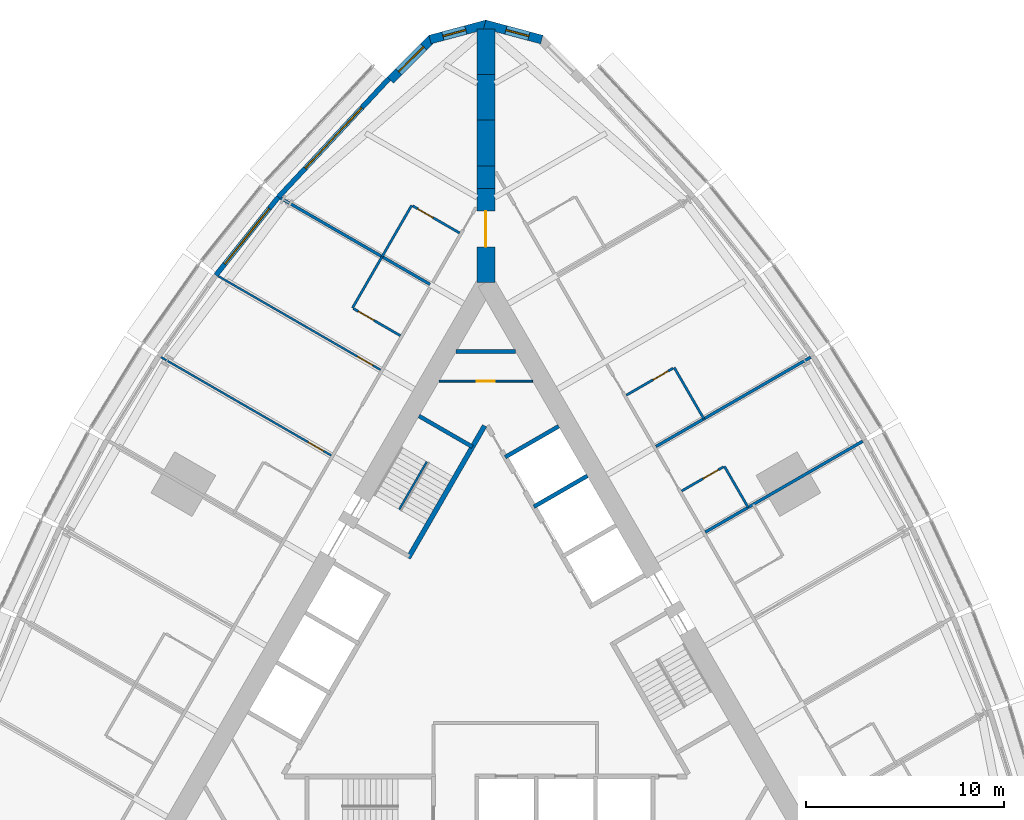
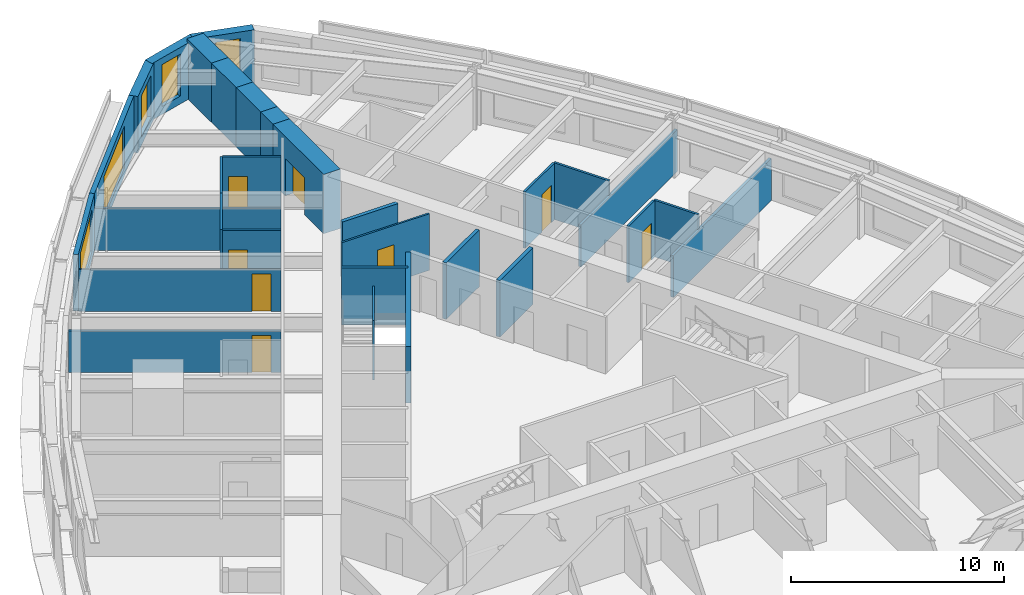
# One storey, part 12 of 14: 30 walls, 8 doors, 5 windows, 13 openings.
"""IFC4 building model written with IfcOpenShell, lengths in metres."""

from ifc_helpers import new_model, si_unit, direction, frame, frame_2d, origin, place, context, subcontext, project, spatial, polyline, rectangle, outline, extrude, material, layer, layer_set, type_object, element, fill, save


model = new_model("IFC4")

# Units and contexts
model_context = context("Model", 3, precision=1e-05, world=origin(), true_north=direction((0.0, 1.0)))
body_context = subcontext(model_context, "Body", "Model", "MODEL_VIEW")
ifc_project = project(units=[si_unit("LENGTHUNIT", "METRE"), si_unit("AREAUNIT", "SQUARE_METRE"), si_unit("VOLUMEUNIT", "CUBIC_METRE"), si_unit("PLANEANGLEUNIT", "RADIAN"), si_unit("MASSUNIT", "GRAM", prefix="KILO")], contexts=[model_context])

# Site, building, storey
site_placement = place(None, origin())
site = spatial("IfcSite", under=ifc_project, at=site_placement, CompositionType="ELEMENT")
building_placement = place(site_placement, origin())
building = spatial("IfcBuilding", under=site, at=building_placement, Name="Trikona Tower", CompositionType="ELEMENT")
storey_placement = place(building_placement, frame((0.0, 0.0, 79.5)))
storey = spatial("IfcBuildingStorey", under=building, at=storey_placement, Name="L20", CompositionType="ELEMENT", Elevation=79.5)

# Wall
ifc_material_1 = material(Name="Metal stud and cement board", Category="gypsum")
ifc_layer_1 = layer(ifc_material_1, 0.1201171875)
ifc_layer_set_1 = layer_set([ifc_layer_1], Name="Bathroom wall 120")
wall_type_1 = type_object("IfcWallType", Name="Bathroom wall 120", PredefinedType="PLUMBINGWALL", material=ifc_layer_set_1)
wall_1_placement = place(storey_placement, frame((13.27294921875, 7.6630859375, 0.0), z_axis=(0.0, 0.0, 1.0), x_axis=(-0.499957262057, 0.866050077142, 0.0)))
element("IfcWall", 1, at=wall_1_placement, inside=storey, type_object=wall_type_1, Name="Bathroom wall 2010", PredefinedType="PLUMBINGWALL", context=body_context, shape_type="SweptSolid", body=[
    extrude(rectangle(XDim=2.400146484375, YDim=0.1201171875, at=frame_2d((1.2001953125, 0.0))), origin(), (0.0, 0.0, 1.0), 3.235107421875),
])

# Wall, opening, door
wall_2_placement = place(storey_placement, frame((9.907958984375, 8.49169921875, 0.0), z_axis=(0.0, 0.0, 1.0), x_axis=(0.866023955769, 0.500002508028, 0.0)))
wall_2 = element("IfcWall", 2, at=wall_2_placement, inside=storey, type_object=wall_type_1, Name="Bathroom wall 2010", PredefinedType="PLUMBINGWALL", context=body_context, shape_type="SweptSolid", body=[
    extrude(rectangle(XDim=2.43994140625, YDim=0.1201171875, at=frame_2d((1.219970703125, 0.0))), origin(), (0.0, 0.0, 1.0), 3.235107421875),
])
opening_1_placement = place(wall_2_placement, frame((1.25, 0.0, 0.0)))
opening_1 = element("IfcOpeningElement", 3, at=opening_1_placement, cuts=wall_2, Name="Opening D2", PredefinedType="OPENING", context=body_context, shape_type="SweptSolid", body=[
    extrude(rectangle(XDim=0.89990234375, YDim=2.1298828125, at=frame_2d((0.449951171875, 1.06494140625))), frame((0.0, 0.070068359375, 0.0), z_axis=(0.0, -1.0, 0.0), x_axis=(1.0, 0.0, 0.0)), (0.0, 0.0, 1.0), 0.14013671875),
])
ifc_material_2 = material(Name="Steel door frame with solid-core timber leaf", Category="steel")
door_type_1 = type_object("IfcDoorType", Name="Bathroom door 900x2130", OperationType="SLIDING_TO_LEFT", PredefinedType="DOOR", material=ifc_material_2)
door_1_placement = place(opening_1_placement, origin())
door_1 = element("IfcDoor", 4, at=door_1_placement, inside=storey, type_object=door_type_1, Name="Bathroom door 2010", OperationType="SLIDING_TO_LEFT", OverallHeight=2.1298828125, OverallWidth=0.89990234375, PredefinedType="DOOR", context=body_context, shape_type="SweptSolid", body=[
    extrude(rectangle(XDim=0.89990234375, YDim=2.1298828125, at=frame_2d((0.449951171875, 1.06494140625))), frame((0.0, 0.02490234375, 0.0), z_axis=(0.0, -1.0, 0.0), x_axis=(1.0, 0.0, 0.0)), (0.0, 0.0, 1.0), 0.050048828125),
])
fill(opening_1, door_1)

# Wall
wall_3_placement = place(storey_placement, frame((11.03271484375, 12.143310546875, 0.0), z_axis=(0.0, 0.0, 1.0), x_axis=(-0.50002537861, 0.866010750942, 0.0)))
element("IfcWall", 5, at=wall_3_placement, inside=storey, type_object=wall_type_1, Name="Bathroom wall 2011", PredefinedType="PLUMBINGWALL", context=body_context, shape_type="SweptSolid", body=[
    extrude(rectangle(XDim=2.999755859375, YDim=0.1201171875, at=frame_2d((1.5, 0.0))), origin(), (0.0, 0.0, 1.0), 3.235107421875),
])

# Wall, opening, door
wall_4_placement = place(storey_placement, frame((7.10791015625, 13.34130859375, 0.0), z_axis=(0.0, 0.0, 1.0), x_axis=(0.866035715982, 0.499982138324, 0.0)))
wall_4 = element("IfcWall", 6, at=wall_4_placement, inside=storey, type_object=wall_type_1, Name="Bathroom wall 2011", PredefinedType="PLUMBINGWALL", context=body_context, shape_type="SweptSolid", body=[
    extrude(rectangle(XDim=2.73974609375, YDim=0.1201171875, at=frame_2d((1.369873046875, 0.0))), origin(), (0.0, 0.0, 1.0), 3.235107421875),
])
opening_2_placement = place(wall_4_placement, frame((1.550048828125, 0.0, 0.0)))
opening_2 = element("IfcOpeningElement", 7, at=opening_2_placement, cuts=wall_4, Name="Opening D2", PredefinedType="OPENING", context=body_context, shape_type="SweptSolid", body=[
    extrude(rectangle(XDim=0.89990234375, YDim=2.1298828125, at=frame_2d((0.449951171875, 1.06494140625))), frame((0.0, 0.070068359375, 0.0), z_axis=(0.0, -1.0, 0.0), x_axis=(1.0, 0.0, 0.0)), (0.0, 0.0, 1.0), 0.14013671875),
])
door_2_placement = place(opening_2_placement, origin())
door_2 = element("IfcDoor", 8, at=door_2_placement, inside=storey, type_object=door_type_1, Name="Bathroom door 2011", OperationType="SLIDING_TO_LEFT", OverallHeight=2.1298828125, OverallWidth=0.89990234375, PredefinedType="DOOR", context=body_context, shape_type="SweptSolid", body=[
    extrude(rectangle(XDim=0.89990234375, YDim=2.1298828125, at=frame_2d((0.449951171875, 1.06494140625))), frame((0.0, 0.02490234375, 0.0), z_axis=(0.0, -1.0, 0.0), x_axis=(1.0, 0.0, 0.0)), (0.0, 0.0, 1.0), 0.050048828125),
])
fill(opening_2, door_2)

# Wall
wall_5_placement = place(storey_placement, frame((-3.75341796875, 22.95166015625, 0.0), z_axis=(0.0, 0.0, 1.0), x_axis=(-0.499990139034, -0.866031096941, 0.0)))
element("IfcWall", 9, at=wall_5_placement, inside=storey, type_object=wall_type_1, Name="Bathroom wall 2013", PredefinedType="PLUMBINGWALL", context=body_context, shape_type="SweptSolid", body=[
    extrude(rectangle(XDim=3.0, YDim=0.1201171875, at=frame_2d((1.5, 0.0))), origin(), (0.0, 0.0, 1.0), 3.235107421875),
])

# Wall, opening, door
wall_6_placement = place(storey_placement, frame((-1.32861328125, 21.551513671875, 0.0), z_axis=(0.0, 0.0, 1.0), x_axis=(-0.865997131366, 0.500048966069, 0.0)))
wall_6 = element("IfcWall", 10, at=wall_6_placement, inside=storey, type_object=wall_type_1, Name="Bathroom wall 2013", PredefinedType="PLUMBINGWALL", context=body_context, shape_type="SweptSolid", body=[
    extrude(rectangle(XDim=2.739990234375, YDim=0.1201171875, at=frame_2d((1.3701171875, 0.0))), origin(), (0.0, 0.0, 1.0), 3.235107421875),
])
opening_3_placement = place(wall_6_placement, frame((1.550048828125, 0.0, 0.0)))
opening_3 = element("IfcOpeningElement", 11, at=opening_3_placement, cuts=wall_6, Name="Opening D2", PredefinedType="OPENING", context=body_context, shape_type="SweptSolid", body=[
    extrude(rectangle(XDim=0.89990234375, YDim=2.1298828125, at=frame_2d((0.449951171875, 1.06494140625))), frame((0.0, 0.070068359375, 0.0), z_axis=(0.0, -1.0, 0.0), x_axis=(1.0, 0.0, 0.0)), (0.0, 0.0, 1.0), 0.14013671875),
])
door_3_placement = place(opening_3_placement, origin())
door_3 = element("IfcDoor", 12, at=door_3_placement, inside=storey, type_object=door_type_1, Name="Bathroom door 2013", OperationType="SLIDING_TO_LEFT", OverallHeight=2.1298828125, OverallWidth=0.89990234375, PredefinedType="DOOR", context=body_context, shape_type="SweptSolid", body=[
    extrude(rectangle(XDim=0.89990234375, YDim=2.1298828125, at=frame_2d((0.449951171875, 1.06494140625))), frame((0.0, 0.02490234375, 0.0), z_axis=(0.0, -1.0, 0.0), x_axis=(1.0, 0.0, 0.0)), (0.0, 0.0, 1.0), 0.050048828125),
])
fill(opening_3, door_3)

# Wall
wall_7_placement = place(storey_placement, frame((-5.25341796875, 20.353515625, 0.0), z_axis=(0.0, 0.0, 1.0), x_axis=(-0.499990139034, -0.866031096941, 0.0)))
element("IfcWall", 13, at=wall_7_placement, inside=storey, type_object=wall_type_1, Name="Bathroom wall 2014.1", PredefinedType="PLUMBINGWALL", context=body_context, shape_type="SweptSolid", body=[
    extrude(rectangle(XDim=3.0, YDim=0.1201171875, at=frame_2d((1.5, 0.0))), origin(), (0.0, 0.0, 1.0), 3.235107421875),
])

# Wall, opening, door
wall_8_placement = place(storey_placement, frame((-4.32861328125, 16.35546875, 0.0), z_axis=(0.0, 0.0, 1.0), x_axis=(-0.866035715982, 0.499982138324, 0.0)))
wall_8 = element("IfcWall", 14, at=wall_8_placement, inside=storey, type_object=wall_type_1, Name="Bathroom wall 2014.1", PredefinedType="PLUMBINGWALL", context=body_context, shape_type="SweptSolid", body=[
    extrude(rectangle(XDim=2.73974609375, YDim=0.1201171875, at=frame_2d((1.369873046875, 0.0))), origin(), (0.0, 0.0, 1.0), 3.235107421875),
])
opening_4_placement = place(wall_8_placement, frame((1.550048828125, 0.0, 0.0)))
opening_4 = element("IfcOpeningElement", 15, at=opening_4_placement, cuts=wall_8, Name="Opening D2", PredefinedType="OPENING", context=body_context, shape_type="SweptSolid", body=[
    extrude(rectangle(XDim=0.89990234375, YDim=2.1298828125, at=frame_2d((0.449951171875, 1.06494140625))), frame((0.0, 0.070068359375, 0.0), z_axis=(0.0, -1.0, 0.0), x_axis=(1.0, 0.0, 0.0)), (0.0, 0.0, 1.0), 0.14013671875),
])
door_4_placement = place(opening_4_placement, origin())
door_4 = element("IfcDoor", 16, at=door_4_placement, inside=storey, type_object=door_type_1, Name="Bathroom door 2014.1", OperationType="SLIDING_TO_LEFT", OverallHeight=2.1298828125, OverallWidth=0.89990234375, PredefinedType="DOOR", context=body_context, shape_type="SweptSolid", body=[
    extrude(rectangle(XDim=0.89990234375, YDim=2.1298828125, at=frame_2d((0.449951171875, 1.06494140625))), frame((0.0, 0.02490234375, 0.0), z_axis=(0.0, -1.0, 0.0), x_axis=(1.0, 0.0, 0.0)), (0.0, 0.0, 1.0), 0.050048828125),
])
fill(opening_4, door_4)

# Wall, opening, window
ifc_material_3 = material(Name="Brick-faced precast concrete", Category="masonry")
ifc_layer_2 = layer(ifc_material_3, 0.449951171875)
ifc_layer_set_2 = layer_set([ifc_layer_2], Name="Brick-faced corner wall 450")
wall_type_2 = type_object("IfcWallType", Name="Brick-faced corner wall 450", PredefinedType="SOLIDWALL", material=ifc_layer_set_2)
wall_9_placement = place(storey_placement, frame((2.82861328125, 31.3408203125, 0.0), z_axis=(0.0, 0.0, 1.0), x_axis=(-0.965930548995, 0.258801419081, 0.0)))
wall_9 = element("IfcWall", 17, at=wall_9_placement, inside=storey, type_object=wall_type_2, Name="External wall L20-21", PredefinedType="SOLIDWALL", context=body_context, shape_type="SweptSolid", body=[
    extrude(outline(polyline([(2.988525390625, 0.22509765625), (2.92919921875, 0.22509765625), (2.4375, 0.09326171875), (2.40234375, 0.22509765625), (0.0, 0.22509765625), (0.0, -0.22509765625), (2.988525390625, -0.22509765625), (2.988525390625, 0.22509765625)])), origin(), (0.0, 0.0, 1.0), 3.235107421875),
])
opening_5_placement = place(wall_9_placement, frame((0.676025390625, 0.0, 0.449951171875)))
opening_5 = element("IfcOpeningElement", 18, at=opening_5_placement, cuts=wall_9, Name="Opening W1224", PredefinedType="OPENING", context=body_context, shape_type="SweptSolid", body=[
    extrude(rectangle(XDim=1.199951171875, YDim=2.39990234375, at=frame_2d((0.60009765625, 1.199951171875))), frame((0.0, 0.23486328125, 0.0), z_axis=(0.0, -1.0, 0.0), x_axis=(1.0, 0.0, 0.0)), (0.0, 0.0, 1.0), 0.469970703125),
])
ifc_material_4 = material(Name="Aluminium-framed double glazing", Category="aluminium")
window_type_1 = type_object("IfcWindowType", Name="Window 1200x2400", PartitioningType="SINGLE_PANEL", PredefinedType="WINDOW", material=ifc_material_4)
window_1_placement = place(opening_5_placement, origin())
window_1 = element("IfcWindow", 19, at=window_1_placement, inside=storey, type_object=window_type_1, Name="Window 2012", OverallHeight=2.39990234375, OverallWidth=1.199951171875, PartitioningType="SINGLE_PANEL", PredefinedType="WINDOW", context=body_context, shape_type="SweptSolid", body=[
    extrude(rectangle(XDim=1.199951171875, YDim=2.39990234375, at=frame_2d((0.60009765625, 1.199951171875))), frame((0.0, 0.030029296875, 0.0), z_axis=(0.0, -1.0, 0.0), x_axis=(1.0, 0.0, 0.0)), (0.0, 0.0, 1.0), 0.06005859375),
])
fill(opening_5, window_1)

wall_10_placement = place(storey_placement, frame((0.05810546875, 32.1142578125, 0.0), z_axis=(0.0, 0.0, 1.0), x_axis=(-0.965930548995, -0.258801419081, 0.0)))
wall_10 = element("IfcWall", 20, at=wall_10_placement, inside=storey, type_object=wall_type_2, Name="External wall L20-22", PredefinedType="SOLIDWALL", context=body_context, shape_type="SweptSolid", body=[
    extrude(outline(polyline([(2.988525390625, 0.22509765625), (0.58642578125, 0.22509765625), (0.551025390625, 0.09326171875), (0.059326171875, 0.22509765625), (0.0, 0.22509765625), (0.0, -0.22509765625), (2.988525390625, -0.22509765625), (2.988525390625, 0.22509765625)])), origin(), (0.0, 0.0, 1.0), 3.235107421875),
])
opening_6_placement = place(wall_10_placement, frame((1.112548828125, 0.0, 0.449951171875)))
opening_6 = element("IfcOpeningElement", 21, at=opening_6_placement, cuts=wall_10, Name="Opening W1224", PredefinedType="OPENING", context=body_context, shape_type="SweptSolid", body=[
    extrude(rectangle(XDim=1.199951171875, YDim=2.39990234375, at=frame_2d((0.60009765625, 1.199951171875))), frame((0.0, 0.23486328125, 0.0), z_axis=(0.0, -1.0, 0.0), x_axis=(1.0, 0.0, 0.0)), (0.0, 0.0, 1.0), 0.469970703125),
])
window_2_placement = place(opening_6_placement, origin())
window_2 = element("IfcWindow", 22, at=window_2_placement, inside=storey, type_object=window_type_1, Name="Window 2013", OverallHeight=2.39990234375, OverallWidth=1.199951171875, PartitioningType="SINGLE_PANEL", PredefinedType="WINDOW", context=body_context, shape_type="SweptSolid", body=[
    extrude(rectangle(XDim=1.199951171875, YDim=2.39990234375, at=frame_2d((0.60009765625, 1.199951171875))), frame((0.0, 0.030029296875, 0.0), z_axis=(0.0, -1.0, 0.0), x_axis=(1.0, 0.0, 0.0)), (0.0, 0.0, 1.0), 0.06005859375),
])
fill(opening_6, window_2)

wall_11_placement = place(storey_placement, frame((-2.727783203125, 31.39892578125, 0.0), z_axis=(0.0, 0.0, 1.0), x_axis=(-0.707106781187, -0.707106781187, 0.0)))
wall_11 = element("IfcWall", 23, at=wall_11_placement, inside=storey, type_object=wall_type_2, Name="External wall L20-23", PredefinedType="SOLIDWALL", context=body_context, shape_type="SweptSolid", body=[
    extrude(rectangle(XDim=2.98828125, YDim=0.449951171875, at=frame_2d((1.494140625, 0.0))), origin(), (0.0, 0.0, 1.0), 3.235107421875),
])
opening_7_placement = place(wall_11_placement, frame((0.59423828125, 0.0, 0.449951171875)))
opening_7 = element("IfcOpeningElement", 24, at=opening_7_placement, cuts=wall_11, Name="Opening W1824", PredefinedType="OPENING", context=body_context, shape_type="SweptSolid", body=[
    extrude(rectangle(XDim=1.800048828125, YDim=2.39990234375, at=frame_2d((0.89990234375, 1.199951171875))), frame((0.0, 0.23486328125, 0.0), z_axis=(0.0, -1.0, 0.0), x_axis=(1.0, 0.0, 0.0)), (0.0, 0.0, 1.0), 0.469970703125),
])
ifc_material_5 = material(Name="Aluminium-framed double glazing", Category="aluminium")
window_type_2 = type_object("IfcWindowType", Name="Window 1800x2400", PartitioningType="SINGLE_PANEL", PredefinedType="WINDOW", material=ifc_material_5)
window_3_placement = place(opening_7_placement, origin())
window_3 = element("IfcWindow", 25, at=window_3_placement, inside=storey, type_object=window_type_2, Name="Window 2013", OverallHeight=2.39990234375, OverallWidth=1.800048828125, PartitioningType="SINGLE_PANEL", PredefinedType="WINDOW", context=body_context, shape_type="SweptSolid", body=[
    extrude(rectangle(XDim=1.800048828125, YDim=2.39990234375, at=frame_2d((0.89990234375, 1.199951171875))), frame((0.0, 0.030029296875, 0.0), z_axis=(0.0, -1.0, 0.0), x_axis=(1.0, 0.0, 0.0)), (0.0, 0.0, 1.0), 0.06005859375),
])
fill(opening_7, window_3)

# Wall, opening, door
ifc_material_6 = material(Name="Concrete f'c 10000 psi", Category="concrete")
ifc_layer_3 = layer(ifc_material_6, 0.89990234375)
ifc_layer_set_3 = layer_set([ifc_layer_3], Name="Buttress wall 900")
wall_type_3 = type_object("IfcWallType", Name="Buttress wall 900", PredefinedType="SHEAR", material=ifc_layer_set_3)
wall_12_placement = place(storey_placement, frame((0.0, 19.052490234375, 0.0), z_axis=(0.0, 0.0, 1.0), x_axis=(0.0, 1.0, 0.0)))
wall_12 = element("IfcWall", 26, at=wall_12_placement, inside=storey, type_object=wall_type_3, Name="Buttress wall 2", PredefinedType="SHEAR", context=body_context, shape_type="SweptSolid", body=[
    extrude(rectangle(XDim=4.74609375, YDim=0.89990234375, at=frame_2d((2.373046875, 0.0))), origin(), (0.0, 0.0, 1.0), 3.39990234375),
])
opening_8_placement = place(wall_12_placement, frame((1.800048828125, 0.0, 0.0)))
opening_8 = element("IfcOpeningElement", 27, at=opening_8_placement, cuts=wall_12, Name="Opening D10", PredefinedType="OPENING", context=body_context, shape_type="SweptSolid", body=[
    extrude(rectangle(XDim=1.800048828125, YDim=2.1298828125, at=frame_2d((0.89990234375, 1.06494140625))), frame((0.0, 0.4599609375, 0.0), z_axis=(0.0, -1.0, 0.0), x_axis=(1.0, 0.0, 0.0)), (0.0, 0.0, 1.0), 0.919921875),
])
ifc_material_7 = material(Name="Hollow metal door and frame", Category="steel")
door_type_2 = type_object("IfcDoorType", Name="Cross-corridor door pair 1800x2130", OperationType="DOUBLE_DOOR_DOUBLE_SWING", PredefinedType="DOOR", material=ifc_material_7)
door_5_placement = place(opening_8_placement, origin())
door_5 = element("IfcDoor", 28, at=door_5_placement, inside=storey, type_object=door_type_2, Name="Cross-corridor door 2", OperationType="DOUBLE_DOOR_DOUBLE_SWING", OverallHeight=2.1298828125, OverallWidth=1.800048828125, PredefinedType="DOOR", context=body_context, shape_type="SweptSolid", body=[
    extrude(rectangle(XDim=1.800048828125, YDim=2.1298828125, at=frame_2d((0.89990234375, 1.06494140625))), frame((0.0, 0.02490234375, 0.0), z_axis=(0.0, -1.0, 0.0), x_axis=(1.0, 0.0, 0.0)), (0.0, 0.0, 1.0), 0.050048828125),
])
fill(opening_8, door_5)

# Walls
wall_13_placement = place(storey_placement, frame((0.0, 23.798583984375, 0.0), z_axis=(0.0, 0.0, 1.0), x_axis=(0.0, 1.0, 0.0)))
element("IfcWall", 29, at=wall_13_placement, inside=storey, type_object=wall_type_3, Name="Buttress wall 2 part 2", PredefinedType="SHEAR", context=body_context, shape_type="SweptSolid", body=[
    extrude(rectangle(XDim=1.15478515625, YDim=0.89990234375, at=frame_2d((0.577392578125, 0.0))), origin(), (0.0, 0.0, 1.0), 3.39990234375),
])
wall_14_placement = place(storey_placement, frame((0.0, 24.953369140625, 0.0), z_axis=(0.0, 0.0, 1.0), x_axis=(0.0, 1.0, 0.0)))
element("IfcWall", 30, at=wall_14_placement, inside=storey, type_object=wall_type_3, Name="Buttress wall 2 part 3", PredefinedType="SHEAR", context=body_context, shape_type="SweptSolid", body=[
    extrude(rectangle(XDim=2.309326171875, YDim=0.89990234375, at=frame_2d((1.15478515625, 0.0))), origin(), (0.0, 0.0, 1.0), 3.39990234375),
])
wall_15_placement = place(storey_placement, frame((0.0, 27.2626953125, 0.0), z_axis=(0.0, 0.0, 1.0), x_axis=(0.0, 1.0, 0.0)))
element("IfcWall", 31, at=wall_15_placement, inside=storey, type_object=wall_type_3, Name="Buttress wall 2 part 4", PredefinedType="SHEAR", context=body_context, shape_type="SweptSolid", body=[
    extrude(rectangle(XDim=2.3095703125, YDim=0.89990234375, at=frame_2d((1.15478515625, 0.0))), origin(), (0.0, 0.0, 1.0), 3.39990234375),
])
wall_16_placement = place(storey_placement, frame((0.0, 29.572265625, 0.0), z_axis=(0.0, 0.0, 1.0), x_axis=(0.0, 1.0, 0.0)))
element("IfcWall", 32, at=wall_16_placement, inside=storey, type_object=wall_type_3, Name="Buttress wall 2 part 5", PredefinedType="SHEAR", context=body_context, shape_type="SweptSolid", body=[
    extrude(rectangle(XDim=2.309326171875, YDim=0.89990234375, at=frame_2d((1.15478515625, 0.0))), origin(), (0.0, 0.0, 1.0), 3.39990234375),
])
ifc_material_8 = material(Name="Concrete f'c 8000 psi", Category="concrete")
ifc_layer_4 = layer(ifc_material_8, 0.25)
ifc_layer_set_4 = layer_set([ifc_layer_4], Name="Hub wall 250")
wall_type_4 = type_object("IfcWallType", Name="Hub wall 250", PredefinedType="SOLIDWALL", material=ifc_layer_set_4)
wall_17_placement = place(storey_placement, frame((-0.0625, 11.794189453125, 0.0), z_axis=(0.0, 0.0, 1.0), x_axis=(-0.500006680225, -0.86602154692, 0.0)))
element("IfcWall", 33, at=wall_17_placement, inside=storey, type_object=wall_type_4, Name="Lift lobby wall C1", PredefinedType="SOLIDWALL", context=body_context, shape_type="SweptSolid", body=[
    extrude(rectangle(XDim=7.73291015625, YDim=0.25, at=frame_2d((3.866455078125, 0.0))), origin(), (0.0, 0.0, 1.0), 3.235107421875),
])

# Wall, opening, window
ifc_material_9 = material(Name="Insulated precast concrete spandrel panel", Category="concrete")
ifc_layer_5 = layer(ifc_material_9, 0.25)
ifc_layer_set_5 = layer_set([ifc_layer_5], Name="Inner skin wall 250")
wall_type_5 = type_object("IfcWallType", Name="Inner skin wall 250", PredefinedType="STANDARD", material=ifc_layer_set_5)
wall_18_placement = place(storey_placement, frame((-4.90869140625, 29.359619140625, 0.0), z_axis=(0.0, 0.0, 1.0), x_axis=(-0.682289646561, -0.731081964075, 0.0)))
wall_18 = element("IfcWall", 34, at=wall_18_placement, inside=storey, type_object=wall_type_5, Name="External wall L20-24", PredefinedType="STANDARD", context=body_context, shape_type="SweptSolid", body=[
    extrude(rectangle(XDim=8.2109375, YDim=0.25, at=frame_2d((4.10546875, 0.0))), origin(), (0.0, 0.0, 1.0), 3.235107421875),
])
opening_9_placement = place(wall_18_placement, frame((2.005615234375, 0.0, 0.449951171875)))
opening_9 = element("IfcOpeningElement", 35, at=opening_9_placement, cuts=wall_18, Name="Opening W4224", PredefinedType="OPENING", context=body_context, shape_type="SweptSolid", body=[
    extrude(rectangle(XDim=4.199951171875, YDim=2.39990234375, at=frame_2d((2.10009765625, 1.199951171875))), frame((0.0, 0.135009765625, 0.0), z_axis=(0.0, -1.0, 0.0), x_axis=(1.0, 0.0, 0.0)), (0.0, 0.0, 1.0), 0.27001953125),
])
ifc_material_10 = material(Name="Aluminium-framed double glazing", Category="aluminium")
window_type_3 = type_object("IfcWindowType", Name="Window 4200x2400", PartitioningType="SINGLE_PANEL", PredefinedType="WINDOW", material=ifc_material_10)
window_4_placement = place(opening_9_placement, origin())
window_4 = element("IfcWindow", 36, at=window_4_placement, inside=storey, type_object=window_type_3, Name="Window 2013", OverallHeight=2.39990234375, OverallWidth=4.199951171875, PartitioningType="SINGLE_PANEL", PredefinedType="WINDOW", context=body_context, shape_type="SweptSolid", body=[
    extrude(rectangle(XDim=4.199951171875, YDim=2.39990234375, at=frame_2d((2.10009765625, 1.199951171875))), frame((0.0, 0.030029296875, 0.0), z_axis=(0.0, -1.0, 0.0), x_axis=(1.0, 0.0, 0.0)), (0.0, 0.0, 1.0), 0.06005859375),
])
fill(opening_9, window_4)

wall_19_placement = place(storey_placement, frame((-10.5048828125, 23.36376953125, 0.0), z_axis=(0.0, 0.0, 1.0), x_axis=(-0.624594965756, -0.780948864364, 0.0)))
wall_19 = element("IfcWall", 37, at=wall_19_placement, inside=storey, type_object=wall_type_5, Name="External wall L20-25", PredefinedType="STANDARD", context=body_context, shape_type="SweptSolid", body=[
    extrude(rectangle(XDim=5.0576171875, YDim=0.25, at=frame_2d((2.52880859375, 0.0))), origin(), (0.0, 0.0, 1.0), 3.235107421875),
])
opening_10_placement = place(wall_19_placement, frame((0.728759765625, 0.0, 0.449951171875)))
opening_10 = element("IfcOpeningElement", 38, at=opening_10_placement, cuts=wall_19, Name="Opening W3624", PredefinedType="OPENING", context=body_context, shape_type="SweptSolid", body=[
    extrude(rectangle(XDim=3.60009765625, YDim=2.39990234375, at=frame_2d((1.800048828125, 1.199951171875))), frame((0.0, 0.135009765625, 0.0), z_axis=(0.0, -1.0, 0.0), x_axis=(1.0, 0.0, 0.0)), (0.0, 0.0, 1.0), 0.27001953125),
])
ifc_material_11 = material(Name="Aluminium-framed double glazing", Category="aluminium")
window_type_4 = type_object("IfcWindowType", Name="Window 3600x2400", PartitioningType="SINGLE_PANEL", PredefinedType="WINDOW", material=ifc_material_11)
window_5_placement = place(opening_10_placement, origin())
window_5 = element("IfcWindow", 39, at=window_5_placement, inside=storey, type_object=window_type_4, Name="Window 2014.1", OverallHeight=2.39990234375, OverallWidth=3.60009765625, PartitioningType="SINGLE_PANEL", PredefinedType="WINDOW", context=body_context, shape_type="SweptSolid", body=[
    extrude(rectangle(XDim=3.60009765625, YDim=2.39990234375, at=frame_2d((1.800048828125, 1.199951171875))), frame((0.0, 0.030029296875, 0.0), z_axis=(0.0, -1.0, 0.0), x_axis=(1.0, 0.0, 0.0)), (0.0, 0.0, 1.0), 0.06005859375),
])
fill(opening_10, window_5)

# Walls
ifc_material_12 = material(Name="Metal stud and gypsum board, 1-hour acoustic", Category="gypsum")
ifc_layer_6 = layer(ifc_material_12, 0.14990234375)
ifc_layer_set_6 = layer_set([ifc_layer_6], Name="Party wall 150")
wall_type_6 = type_object("IfcWallType", Name="Party wall 150", PredefinedType="PARTITIONING", material=ifc_layer_set_6)
wall_20_placement = place(storey_placement, frame((11.10791015625, 6.4130859375, 0.0), z_axis=(0.0, 0.0, 1.0), x_axis=(0.866022450903, 0.500005114506, 0.0)))
element("IfcWall", 40, at=wall_20_placement, inside=storey, type_object=wall_type_6, Name="Partition L20 F2 u0", PredefinedType="PARTITIONING", context=body_context, shape_type="SweptSolid", body=[
    extrude(rectangle(XDim=9.1962890625, YDim=0.14990234375, at=frame_2d((4.59814453125, 0.0))), origin(), (0.0, 0.0, 1.0), 2.38916015625),
])
wall_21_placement = place(storey_placement, frame((8.60791015625, 10.743408203125, 0.0), z_axis=(0.0, 0.0, 1.0), x_axis=(0.866028232062, 0.499995101247, 0.0)))
element("IfcWall", 41, at=wall_21_placement, inside=storey, type_object=wall_type_6, Name="Partition L20 F2 u5", PredefinedType="PARTITIONING", context=body_context, shape_type="SweptSolid", body=[
    extrude(rectangle(XDim=9.04296875, YDim=0.14990234375, at=frame_2d((4.521484375, 0.0))), origin(), (0.0, 0.0, 1.0), 2.38916015625),
])
wall_22_placement = place(storey_placement, frame((-2.82861328125, 18.95361328125, 0.0), z_axis=(0.0, 0.0, 1.0), x_axis=(-0.866020536561, 0.500008430184, 0.0)))
element("IfcWall", 42, at=wall_22_placement, inside=storey, type_object=wall_type_6, Name="Partition L20 F3 u-15", PredefinedType="PARTITIONING", context=body_context, shape_type="SweptSolid", body=[
    extrude(rectangle(XDim=8.719970703125, YDim=0.14990234375, at=frame_2d((4.35986328125, 0.0))), origin(), (0.0, 0.0, 1.0), 2.38916015625),
])
ifc_material_13 = material(Name="Concrete f'c 8000 psi", Category="concrete")
ifc_layer_7 = layer(ifc_material_13, 0.199951171875)
ifc_layer_set_7 = layer_set([ifc_layer_7], Name="Shaft wall 200")
wall_type_7 = type_object("IfcWallType", Name="Shaft wall 200", PredefinedType="SOLIDWALL", material=ifc_layer_set_7)
for number, where, z_axis, x_axis, name in (
    (43, (2.428955078125, 7.695556640625, 0.0), (0.0, 0.0, 1.0), (0.866022959057, 0.500004234368, 0.0), "Shaft wall B5"),
    (44, (0.97900390625, 10.20703125, 0.0), (0.0, 0.0, 1.0), (0.866022959057, 0.500004234368, 0.0), "Shaft wall B6"),
):
    element("IfcWall", number, at=place(storey_placement, frame(where, z_axis=z_axis, x_axis=x_axis)), inside=storey, type_object=wall_type_7, Name=name, PredefinedType="SOLIDWALL", context=body_context, shape_type="SweptSolid", body=[
        extrude(rectangle(XDim=3.125, YDim=0.199951171875, at=frame_2d((1.5625, 0.0))), origin(), (0.0, 0.0, 1.0), 3.235107421875),
    ])
wall_23_placement = place(storey_placement, frame((-1.501220703125, 15.552490234375, 0.0), z_axis=(0.0, 0.0, 1.0), x_axis=(1.0, 0.0, 0.0)))
element("IfcWall", 45, at=wall_23_placement, inside=storey, type_object=wall_type_7, Name="Riser wall L20-RS2", PredefinedType="SOLIDWALL", context=body_context, shape_type="SweptSolid", body=[
    extrude(rectangle(XDim=3.00244140625, YDim=0.199951171875, at=frame_2d((1.501220703125, 0.0))), origin(), (0.0, 0.0, 1.0), 3.235107421875),
])
ifc_material_14 = material(Name="Concrete f'c 8000 psi", Category="concrete")
ifc_layer_8 = layer(ifc_material_14, 0.199951171875)
ifc_layer_set_8 = layer_set([ifc_layer_8], Name="Shaft wall 200 load-bearing")
wall_type_8 = type_object("IfcWallType", Name="Shaft wall 200 load-bearing", PredefinedType="SOLIDWALL", material=ifc_layer_set_8)
wall_24_placement = place(storey_placement, frame((-0.678955078125, 10.7265625, 0.0), z_axis=(0.0, 0.0, 1.0), x_axis=(-0.866022959057, 0.500004234368, 0.0)))
element("IfcWall", 46, at=wall_24_placement, inside=storey, type_object=wall_type_8, Name="Shaft wall C1", PredefinedType="SOLIDWALL", context=body_context, shape_type="SweptSolid", body=[
    extrude(rectangle(XDim=3.125, YDim=0.199951171875, at=frame_2d((1.5625, 0.0))), origin(), (0.0, 0.0, 1.0), 3.235107421875),
])
ifc_material_15 = material(Name="Concrete f'c 5000 psi", Category="concrete")
ifc_layer_9 = layer(ifc_material_15, 0.10009765625)
ifc_layer_set_9 = layer_set([ifc_layer_9], Name="Stair spine wall 100")
wall_type_9 = type_object("IfcWallType", Name="Stair spine wall 100", PredefinedType="SOLIDWALL", material=ifc_layer_set_9)
wall_25_placement = place(storey_placement, frame((-2.98779296875, 9.9775390625, 0.0), z_axis=(0.0, 0.0, 1.0), x_axis=(-0.499992232847, -0.866029888106, 0.0)))
element("IfcWall", 47, at=wall_25_placement, inside=storey, type_object=wall_type_9, Name="Stair C spine wall L20", PredefinedType="SOLIDWALL", context=body_context, shape_type="SweptSolid", body=[
    extrude(rectangle(XDim=2.7939453125, YDim=0.10009765625, at=frame_2d((1.39697265625, 0.0))), origin(), (0.0, 0.0, 1.0), 3.39990234375),
])

# Wall, opening, door
ifc_material_16 = material(Name="Metal stud and gypsum board, acoustic", Category="gypsum")
ifc_layer_10 = layer(ifc_material_16, 0.10009765625)
ifc_layer_set_10 = layer_set([ifc_layer_10], Name="Suite partition 100")
wall_type_10 = type_object("IfcWallType", Name="Suite partition 100", PredefinedType="PARTITIONING", material=ifc_layer_set_10)
wall_26_placement = place(storey_placement, frame((-5.32861328125, 14.623291015625, 0.0), z_axis=(0.0, 0.0, 1.0), x_axis=(-0.866018409083, 0.500012114982, 0.0)))
wall_26 = element("IfcWall", 48, at=wall_26_placement, inside=storey, type_object=wall_type_10, Name="Suite partition L20 F3 u-10", PredefinedType="PARTITIONING", context=body_context, shape_type="SweptSolid", body=[
    extrude(rectangle(XDim=9.484619140625, YDim=0.10009765625, at=frame_2d((4.7421875, 0.0))), origin(), (0.0, 0.0, 1.0), 2.38916015625),
])
opening_11_placement = place(wall_26_placement, frame((0.449951171875, 0.0, 0.0)))
opening_11 = element("IfcOpeningElement", 49, at=opening_11_placement, cuts=wall_26, Name="Opening D13", PredefinedType="OPENING", context=body_context, shape_type="SweptSolid", body=[
    extrude(rectangle(XDim=0.89990234375, YDim=2.1298828125, at=frame_2d((0.449951171875, 1.06494140625))), frame((0.0, 0.06005859375, 0.0), z_axis=(0.0, -1.0, 0.0), x_axis=(1.0, 0.0, 0.0)), (0.0, 0.0, 1.0), 0.1201171875),
])
ifc_material_17 = material(Name="Steel door frame with solid-core timber leaf", Category="steel")
door_type_3 = type_object("IfcDoorType", Name="Suite door 900x2130", OperationType="SINGLE_SWING_LEFT", PredefinedType="DOOR", material=ifc_material_17)
door_6_placement = place(opening_11_placement, origin())
door_6 = element("IfcDoor", 50, at=door_6_placement, inside=storey, type_object=door_type_3, Name="Suite door 2014", OperationType="SINGLE_SWING_LEFT", OverallHeight=2.1298828125, OverallWidth=0.89990234375, PredefinedType="DOOR", context=body_context, shape_type="SweptSolid", body=[
    extrude(rectangle(XDim=0.89990234375, YDim=2.1298828125, at=frame_2d((0.449951171875, 1.06494140625))), frame((0.0, 0.02490234375, 0.0), z_axis=(0.0, -1.0, 0.0), x_axis=(1.0, 0.0, 0.0)), (0.0, 0.0, 1.0), 0.050048828125),
])
fill(opening_11, door_6)

wall_27_placement = place(storey_placement, frame((-7.82861328125, 10.293212890625, 0.0), z_axis=(0.0, 0.0, 1.0), x_axis=(-0.866016302457, 0.50001576363, 0.0)))
wall_27 = element("IfcWall", 51, at=wall_27_placement, inside=storey, type_object=wall_type_10, Name="Suite partition L20 F3 u-5", PredefinedType="PARTITIONING", context=body_context, shape_type="SweptSolid", body=[
    extrude(rectangle(XDim=9.943115234375, YDim=0.10009765625, at=frame_2d((4.9716796875, 0.0))), origin(), (0.0, 0.0, 1.0), 2.38916015625),
])
opening_12_placement = place(wall_27_placement, frame((0.449951171875, 0.0, 0.0)))
opening_12 = element("IfcOpeningElement", 52, at=opening_12_placement, cuts=wall_27, Name="Opening D13", PredefinedType="OPENING", context=body_context, shape_type="SweptSolid", body=[
    extrude(rectangle(XDim=0.89990234375, YDim=2.1298828125, at=frame_2d((0.449951171875, 1.06494140625))), frame((0.0, 0.06005859375, 0.0), z_axis=(0.0, -1.0, 0.0), x_axis=(1.0, 0.0, 0.0)), (0.0, 0.0, 1.0), 0.1201171875),
])
door_7_placement = place(opening_12_placement, origin())
door_7 = element("IfcDoor", 53, at=door_7_placement, inside=storey, type_object=door_type_3, Name="Suite door 2014", OperationType="SINGLE_SWING_LEFT", OverallHeight=2.1298828125, OverallWidth=0.89990234375, PredefinedType="DOOR", context=body_context, shape_type="SweptSolid", body=[
    extrude(rectangle(XDim=0.89990234375, YDim=2.1298828125, at=frame_2d((0.449951171875, 1.06494140625))), frame((0.0, 0.02490234375, 0.0), z_axis=(0.0, -1.0, 0.0), x_axis=(1.0, 0.0, 0.0)), (0.0, 0.0, 1.0), 0.050048828125),
])
fill(opening_12, door_7)

wall_28_placement = place(storey_placement, frame((-2.3671875, 14.052490234375, 0.0), z_axis=(0.0, 0.0, 1.0), x_axis=(1.0, 0.0, 0.0)))
wall_28 = element("IfcWall", 54, at=wall_28_placement, inside=storey, type_object=wall_type_10, Name="Store partition L20-RS2", PredefinedType="PARTITIONING", context=body_context, shape_type="SweptSolid", body=[
    extrude(rectangle(XDim=4.734375, YDim=0.10009765625, at=frame_2d((2.3671875, 0.0))), origin(), (0.0, 0.0, 1.0), 3.235107421875),
])
opening_13_placement = place(wall_28_placement, frame((1.9169921875, 0.0, 0.0)))
opening_13 = element("IfcOpeningElement", 55, at=opening_13_placement, cuts=wall_28, Name="Opening D15", PredefinedType="OPENING", context=body_context, shape_type="SweptSolid", body=[
    extrude(rectangle(XDim=0.89990234375, YDim=2.1298828125, at=frame_2d((0.449951171875, 1.06494140625))), frame((0.0, 0.06005859375, 0.0), z_axis=(0.0, -1.0, 0.0), x_axis=(1.0, 0.0, 0.0)), (0.0, 0.0, 1.0), 0.1201171875),
])
ifc_material_18 = material(Name="Steel door frame with solid-core timber leaf", Category="steel")
door_type_4 = type_object("IfcDoorType", Name="Store door 900x2130", OperationType="SINGLE_SWING_LEFT", PredefinedType="DOOR", material=ifc_material_18)
door_8_placement = place(opening_13_placement, origin())
door_8 = element("IfcDoor", 56, at=door_8_placement, inside=storey, type_object=door_type_4, Name="Door Amenity store AMS", OperationType="SINGLE_SWING_LEFT", OverallHeight=2.1298828125, OverallWidth=0.89990234375, PredefinedType="DOOR", context=body_context, shape_type="SweptSolid", body=[
    extrude(rectangle(XDim=0.89990234375, YDim=2.1298828125, at=frame_2d((0.449951171875, 1.06494140625))), frame((0.0, 0.02490234375, 0.0), z_axis=(0.0, -1.0, 0.0), x_axis=(1.0, 0.0, 0.0)), (0.0, 0.0, 1.0), 0.050048828125),
])
fill(opening_13, door_8)

save(model, "model.ifc")
